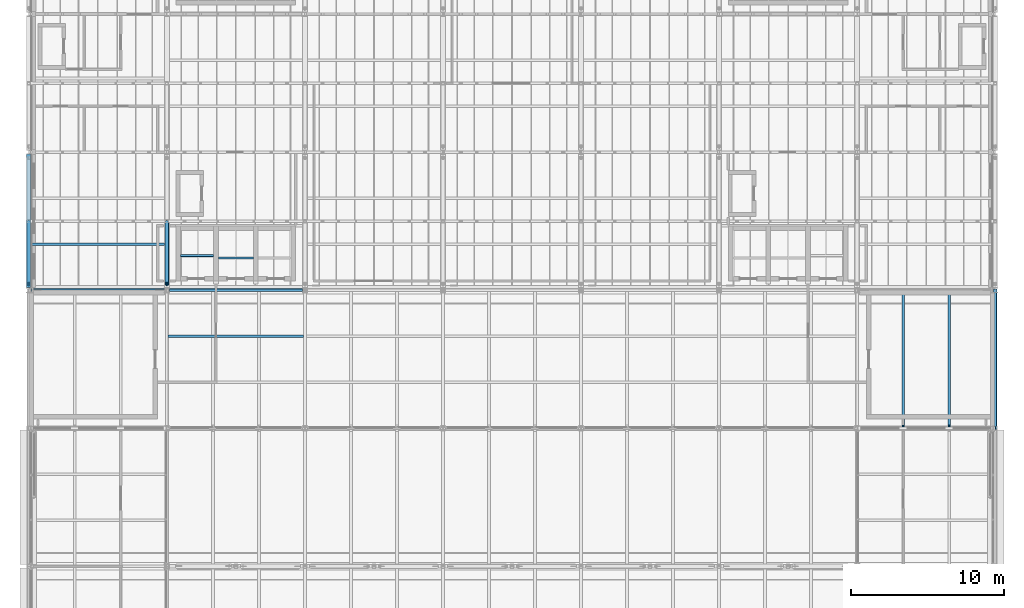
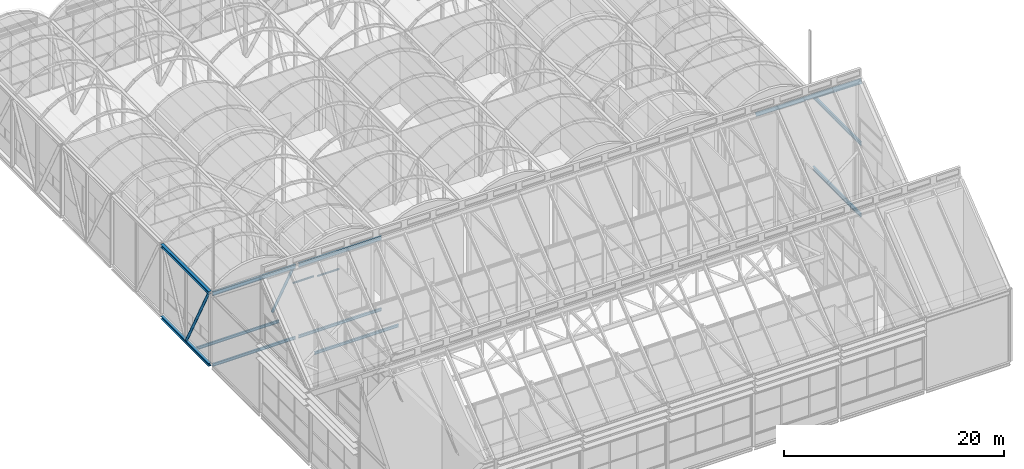
# One storey, part 93 of 144: 12 beams, 5 members.
"""IFC4 building model written with IfcOpenShell, lengths in metres."""

from ifc_helpers import new_model, si_unit, direction, frame, origin, origin_2d, place, context, subcontext, project, spatial, hollow_rectangle, hollow_circle, i_section, extrude, material, material_profile, profile_set, type_object, element, save


model = new_model("IFC4")

# Units and contexts
model_context = context("Model", 3, precision=1e-05, world=origin(), true_north=direction((0.0, 1.0)))
body_context = subcontext(model_context, "Body", "Model", "MODEL_VIEW")
ifc_project = project(units=[si_unit("LENGTHUNIT", "METRE"), si_unit("AREAUNIT", "SQUARE_METRE"), si_unit("VOLUMEUNIT", "CUBIC_METRE"), si_unit("PLANEANGLEUNIT", "RADIAN"), si_unit("MASSUNIT", "GRAM", prefix="KILO")], contexts=[model_context])

# Site, building, storey
site_placement = place(None, origin())
site = spatial("IfcSite", under=ifc_project, at=site_placement, CompositionType="ELEMENT")
building_placement = place(site_placement, origin())
building = spatial("IfcBuilding", under=site, at=building_placement, Name="Shorebreak Coast Museum", CompositionType="ELEMENT")
storey_placement = place(building_placement, frame((0.0, 0.0, 36.0)))
storey = spatial("IfcBuildingStorey", under=building, at=storey_placement, Name="L06", CompositionType="ELEMENT", Elevation=36.0)

# Beams
ifc_material_1 = material(Name="Steel Grade 300", Category="steel")
ifc_material_profile_1 = material_profile(ifc_material_1, i_section(OverallWidth=0.166015625, OverallDepth=0.30712890625, WebThickness=0.006591796875, FlangeThickness=0.01171875, FilletRadius=0.011474609375, at=origin_2d()), Name="310UB46.2")
ifc_profile_set_1 = profile_set([ifc_material_profile_1], Name="Steel Grade 300")
beam_type_1 = type_object("IfcBeamType", Name="Floor girder east-west 310UB46.2", PredefinedType="BEAM", material=ifc_profile_set_1)
for number, where, z_axis, x_axis, name in (
    (1, (54.155517578125, 90.0, -0.32861328125), (1.0, 0.0, 0.0), (0.0, 1.0, 0.0), "Floor girder east-west L06 7L"),
    (2, (63.155517578125, 90.0, -0.32861328125), (1.0, 0.0, 0.0), (0.0, 1.0, 0.0), "Floor girder east-west L06 8L"),
):
    element("IfcBeam", number, at=place(storey_placement, frame(where, z_axis=z_axis, x_axis=x_axis)), inside=storey, type_object=beam_type_1, Name=name, PredefinedType="BEAM", context=body_context, shape_type="SweptSolid", body=[
        extrude(i_section(OverallWidth=0.166015625, OverallDepth=0.30712890625, WebThickness=0.006591796875, FlangeThickness=0.01171875, FilletRadius=0.011474609375, at=origin_2d()), origin(), (0.0, 0.0, 1.0), 8.68896484375),
    ])
ifc_material_2 = material(Name="Steel Grade 300", Category="steel")
ifc_material_profile_2 = material_profile(ifc_material_2, i_section(OverallWidth=0.177978515625, OverallDepth=0.406494140625, WebThickness=0.0078125, FlangeThickness=0.0126953125, FilletRadius=0.011474609375, at=origin_2d()), Name="410UB59.7")
ifc_profile_set_2 = profile_set([ifc_material_profile_2], Name="Steel Grade 300")
beam_type_2 = type_object("IfcBeamType", Name="Floor girder north-south 410UB59.7", PredefinedType="BEAM", material=ifc_profile_set_2)
beam_1_placement = place(storey_placement, frame((117.0, 81.125, -0.378173828125), z_axis=(0.0, 1.0, 0.0), x_axis=(-1.0, 0.0, 0.0)))
element("IfcBeam", 3, at=beam_1_placement, inside=storey, type_object=beam_type_2, Name="Floor girder north-south L06 14K", PredefinedType="BEAM", context=body_context, shape_type="SweptSolid", body=[
    extrude(i_section(OverallWidth=0.177978515625, OverallDepth=0.406494140625, WebThickness=0.0078125, FlangeThickness=0.0126953125, FilletRadius=0.011474609375, at=origin_2d()), origin(), (0.0, 0.0, 1.0), 8.71142578125),
])
ifc_material_3 = material(Name="Steel Grade 300", Category="steel")
ifc_material_profile_3 = material_profile(ifc_material_3, i_section(OverallWidth=0.1650390625, OverallDepth=0.303955078125, WebThickness=0.006103515625, FlangeThickness=0.01025390625, FilletRadius=0.011474609375, at=origin_2d()), Name="310UB40.4")
ifc_profile_set_3 = profile_set([ifc_material_profile_3], Name="Steel Grade 300")
beam_type_3 = type_object("IfcBeamType", Name="Floor joist 310UB40.4", PredefinedType="JOIST", material=ifc_profile_set_3)
beam_2_placement = place(storey_placement, frame((63.089111328125, 87.0, -0.326904296875), z_axis=(1.0, 0.0, 0.0), x_axis=(0.0, 1.0, 0.0)))
element("IfcBeam", 4, at=beam_2_placement, inside=storey, type_object=beam_type_3, Name="Floor joist L06 bay 8K at 6000 mm", PredefinedType="JOIST", context=body_context, shape_type="SweptSolid", body=[
    extrude(i_section(OverallWidth=0.1650390625, OverallDepth=0.303955078125, WebThickness=0.006103515625, FlangeThickness=0.01025390625, FilletRadius=0.011474609375, at=origin_2d()), origin(), (0.0, 0.0, 1.0), 8.82177734375),
])
beam_3_placement = place(storey_placement, frame((54.155517578125, 93.0, -0.326904296875), z_axis=(1.0, 0.0, 0.0), x_axis=(0.0, 1.0, 0.0)))
element("IfcBeam", 5, at=beam_3_placement, inside=storey, type_object=beam_type_3, Name="Floor joist L06 bay 7L at 3000 mm", PredefinedType="JOIST", context=body_context, shape_type="SweptSolid", body=[
    extrude(i_section(OverallWidth=0.1650390625, OverallDepth=0.303955078125, WebThickness=0.006103515625, FlangeThickness=0.01025390625, FilletRadius=0.011474609375, at=origin_2d()), origin(), (0.0, 0.0, 1.0), 8.68896484375),
])

# Members
ifc_material_4 = material(Name="Steel Grade 300", Category="steel")
ifc_material_profile_4 = material_profile(ifc_material_4, i_section(OverallWidth=0.177978515625, OverallDepth=0.402587890625, WebThickness=0.007568359375, FlangeThickness=0.010986328125, FilletRadius=0.011474609375, at=origin_2d()), Name="410UB53.7")
ifc_profile_set_4 = profile_set([ifc_material_profile_4], Name="Steel Grade 300")
member_type_1 = type_object("IfcMemberType", Name="Fold rafter 410UB53.7", PredefinedType="RAFTER", material=ifc_profile_set_4)
for number, where, z_axis, x_axis, name in (
    (6, (111.0, 81.094970703125, 14.610107421875), (0.0, 0.780866698312, -0.624697686459), (-1.0, 0.0, 0.0), "Fold rafter FOLD-X line 4 20"),
    (7, (114.0, 81.094970703125, 14.610107421875), (0.0, 0.780866698312, -0.624697686459), (-1.0, 0.0, 0.0), "Fold rafter FOLD-X line 4 21"),
):
    element("IfcMember", number, at=place(storey_placement, frame(where, z_axis=z_axis, x_axis=x_axis)), inside=storey, type_object=member_type_1, Name=name, PredefinedType="RAFTER", context=body_context, shape_type="SweptSolid", body=[
        extrude(i_section(OverallWidth=0.177978515625, OverallDepth=0.402587890625, WebThickness=0.007568359375, FlangeThickness=0.010986328125, FilletRadius=0.011474609375, at=origin_2d()), origin(), (0.0, 0.0, 1.0), 11.282470703125),
    ])
ifc_material_5 = material(Name="Steel Grade 300", Category="steel")
ifc_material_profile_5 = material_profile(ifc_material_5, i_section(OverallWidth=0.208984375, OverallDepth=0.5283203125, WebThickness=0.009521484375, FlangeThickness=0.01318359375, FilletRadius=0.013916015625, at=origin_2d()), Name="530UB82.0")
ifc_profile_set_5 = profile_set([ifc_material_profile_5], Name="Steel Grade 300")
member_type_2 = type_object("IfcMemberType", Name="Fold rib rafter 530UB82.0", PredefinedType="RAFTER", material=ifc_profile_set_5)
member_placement = place(storey_placement, frame((117.0, 81.094970703125, 14.52978515625), z_axis=(0.0, 0.780866698312, -0.624697686459), x_axis=(-1.0, 0.0, 0.0)))
element("IfcMember", 8, at=member_placement, inside=storey, type_object=member_type_2, Name="Fold rib rafter FOLD-X line 4 22", PredefinedType="RAFTER", context=body_context, shape_type="SweptSolid", body=[
    extrude(i_section(OverallWidth=0.208984375, OverallDepth=0.5283203125, WebThickness=0.009521484375, FlangeThickness=0.01318359375, FilletRadius=0.013916015625, at=origin_2d()), origin(), (0.0, 0.0, 1.0), 11.282470703125),
])

# Beams
ifc_material_6 = material(Name="Steel Grade 300", Category="steel")
ifc_material_profile_6 = material_profile(ifc_material_6, i_section(OverallWidth=0.177978515625, OverallDepth=0.402587890625, WebThickness=0.007568359375, FlangeThickness=0.010986328125, FilletRadius=0.011474609375, at=origin_2d()), Name="410UB53.7")
ifc_profile_set_6 = profile_set([ifc_material_profile_6], Name="Steel Grade 300")
beam_type_4 = type_object("IfcBeamType", Name="Fold rib tie 410UB53.7", PredefinedType="BEAM", material=ifc_profile_set_6)
beam_4_placement = place(storey_placement, frame((117.0, 81.125, 7.54248046875), z_axis=(0.0, 1.0, 0.0), x_axis=(-1.0, 0.0, 0.0)))
element("IfcBeam", 9, at=beam_4_placement, inside=storey, type_object=beam_type_4, Name="Fold rib tie FOLD-X rib 14 K-L", PredefinedType="BEAM", context=body_context, shape_type="SweptSolid", body=[
    extrude(i_section(OverallWidth=0.177978515625, OverallDepth=0.402587890625, WebThickness=0.007568359375, FlangeThickness=0.010986328125, FilletRadius=0.011474609375, at=origin_2d()), origin(), (0.0, 0.0, 1.0), 8.71142578125),
])
ifc_material_7 = material(Name="Steel Grade 300", Category="steel")
ifc_material_profile_7 = material_profile(ifc_material_7, i_section(OverallWidth=0.18994140625, OverallDepth=0.453857421875, WebThickness=0.008544921875, FlangeThickness=0.0126953125, FilletRadius=0.011474609375, at=origin_2d()), Name="460UB67.1")
ifc_profile_set_7 = profile_set([ifc_material_profile_7], Name="Steel Grade 300")
beam_type_5 = type_object("IfcBeamType", Name="Fold valley girder 460UB67.1", PredefinedType="BEAM", material=ifc_profile_set_7)
for number, where, z_axis, x_axis, name in (
    (10, (54.155517578125, 90.0, 7.593017578125), (1.0, 0.0, 0.0), (0.0, 1.0, 0.0), "Fold valley girder FOLD-X line L bay 7L"),
    (11, (63.155517578125, 90.0, 7.593017578125), (1.0, 0.0, 0.0), (0.0, 1.0, 0.0), "Fold valley girder FOLD-X line L bay 8L"),
):
    element("IfcBeam", number, at=place(storey_placement, frame(where, z_axis=z_axis, x_axis=x_axis)), inside=storey, type_object=beam_type_5, Name=name, PredefinedType="BEAM", context=body_context, shape_type="SweptSolid", body=[
        extrude(i_section(OverallWidth=0.18994140625, OverallDepth=0.453857421875, WebThickness=0.008544921875, FlangeThickness=0.0126953125, FilletRadius=0.011474609375, at=origin_2d()), origin(), (0.0, 0.0, 1.0), 8.68896484375),
    ])
ifc_material_8 = material(Name="Steel Grade C450L0", Category="steel")
ifc_material_profile_8 = material_profile(ifc_material_8, hollow_rectangle(XDim=0.14990234375, YDim=0.14990234375, WallThickness=0.009033203125, InnerFilletRadius=0.013427734375, OuterFilletRadius=0.0224609375, at=origin_2d()), Name="150x150x9.0 SHS")
ifc_profile_set_8 = profile_set([ifc_material_profile_8], Name="Steel Grade C450L0")
beam_type_6 = type_object("IfcBeamType", Name="Lift rail head beam 150x150x9.0 SHS", PredefinedType="BEAM", material=ifc_profile_set_8)
beam_5_placement = place(storey_placement, frame((63.89990234375, 92.25, 3.97509765625), z_axis=(1.0, 0.0, 0.0), x_axis=(0.0, 1.0, 0.0)))
element("IfcBeam", 12, at=beam_5_placement, inside=storey, type_object=beam_type_6, Name="Firefighting Lift FL1 rail head beam", PredefinedType="BEAM", context=body_context, shape_type="SweptSolid", body=[
    extrude(hollow_rectangle(XDim=0.14990234375, YDim=0.14990234375, WallThickness=0.009033203125, InnerFilletRadius=0.013427734375, OuterFilletRadius=0.0224609375, at=origin_2d()), origin(), (0.0, 0.0, 1.0), 2.150146484375),
])
beam_6_placement = place(storey_placement, frame((66.35009765625, 92.10009765625, 3.97509765625), z_axis=(1.0, 0.0, 0.0), x_axis=(0.0, 1.0, 0.0)))
element("IfcBeam", 13, at=beam_6_placement, inside=storey, type_object=beam_type_6, Name="Lift P1 rail head beam", PredefinedType="BEAM", context=body_context, shape_type="SweptSolid", body=[
    extrude(hollow_rectangle(XDim=0.14990234375, YDim=0.14990234375, WallThickness=0.009033203125, InnerFilletRadius=0.013427734375, OuterFilletRadius=0.0224609375, at=origin_2d()), origin(), (0.0, 0.0, 1.0), 2.2998046875),
])
ifc_material_9 = material(Name="Steel Grade 300", Category="steel")
ifc_material_profile_9 = material_profile(ifc_material_9, i_section(OverallWidth=0.30908203125, OverallDepth=0.320556640625, WebThickness=0.013916015625, FlangeThickness=0.021728515625, FilletRadius=0.0166015625, at=origin_2d()), Name="310UC137")
ifc_profile_set_9 = profile_set([ifc_material_profile_9], Name="Steel Grade 300")
beam_type_7 = type_object("IfcBeamType", Name="Transfer truss chord 310UC137", PredefinedType="BEAM", material=ifc_profile_set_9)
beam_7_placement = place(storey_placement, frame((54.0, 90.16357421875, -0.335205078125), z_axis=(0.0, 1.0, 0.0), x_axis=(-1.0, 0.0, 0.0)))
element("IfcBeam", 14, at=beam_7_placement, inside=storey, type_object=beam_type_7, Name="Transfer truss TR1 chord C05", PredefinedType="BEAM", context=body_context, shape_type="SweptSolid", body=[
    extrude(i_section(OverallWidth=0.30908203125, OverallDepth=0.320556640625, WebThickness=0.013916015625, FlangeThickness=0.021728515625, FilletRadius=0.0166015625, at=origin_2d()), origin(), (0.0, 0.0, 1.0), 8.70947265625),
])
ifc_material_10 = material(Name="Steel Grade 300", Category="steel")
ifc_material_profile_10 = material_profile(ifc_material_10, i_section(OverallWidth=0.31103515625, OverallDepth=0.3271484375, WebThickness=0.015625, FlangeThickness=0.02490234375, FilletRadius=0.0166015625, at=origin_2d()), Name="310UC158")
ifc_profile_set_10 = profile_set([ifc_material_profile_10], Name="Steel Grade 300")
beam_type_8 = type_object("IfcBeamType", Name="Transfer truss chord 310UC158", PredefinedType="BEAM", material=ifc_profile_set_10)
beam_8_placement = place(storey_placement, frame((54.0, 90.16357421875, 7.621337890625), z_axis=(0.0, 1.0, 0.0), x_axis=(-1.0, 0.0, 0.0)))
element("IfcBeam", 15, at=beam_8_placement, inside=storey, type_object=beam_type_8, Name="Transfer truss TR1 chord C09", PredefinedType="BEAM", context=body_context, shape_type="SweptSolid", body=[
    extrude(i_section(OverallWidth=0.31103515625, OverallDepth=0.3271484375, WebThickness=0.015625, FlangeThickness=0.02490234375, FilletRadius=0.0166015625, at=origin_2d()), origin(), (0.0, 0.0, 1.0), 8.70947265625),
])

# Members
ifc_material_11 = material(Name="Steel Grade C350L0", Category="steel")
ifc_material_profile_11 = material_profile(ifc_material_11, hollow_circle(Radius=0.136474609375, WallThickness=0.00927734375, at=origin_2d()), Name="273.1x9.3 CHS")
ifc_profile_set_11 = profile_set([ifc_material_profile_11], Name="Steel Grade C350L0")
member_type_3 = type_object("IfcMemberType", Name="Transfer truss diagonal 273.1x9.3 CHS", PredefinedType="BRACE", material=ifc_profile_set_11)
for number, where, z_axis, x_axis, name in (
    (16, (54.0, 94.415771484375, -0.175048828125), (0.0, -0.465641431585, 0.884973478242), (1.0, 0.0, 0.0), "Transfer truss TR1 diagonal D10"),
    (17, (63.0, 94.415771484375, -0.175048828125), (0.0, -0.465641431585, 0.884973478242), (1.0, 0.0, 0.0), "Transfer truss TR2 diagonal D10"),
):
    element("IfcMember", number, at=place(storey_placement, frame(where, z_axis=z_axis, x_axis=x_axis)), inside=storey, type_object=member_type_3, Name=name, PredefinedType="BRACE", context=body_context, shape_type="SweptSolid", body=[
        extrude(hollow_circle(Radius=0.136474609375, WallThickness=0.00927734375, at=origin_2d()), origin(), (0.0, 0.0, 1.0), 8.625),
    ])

save(model, "model.ifc")
